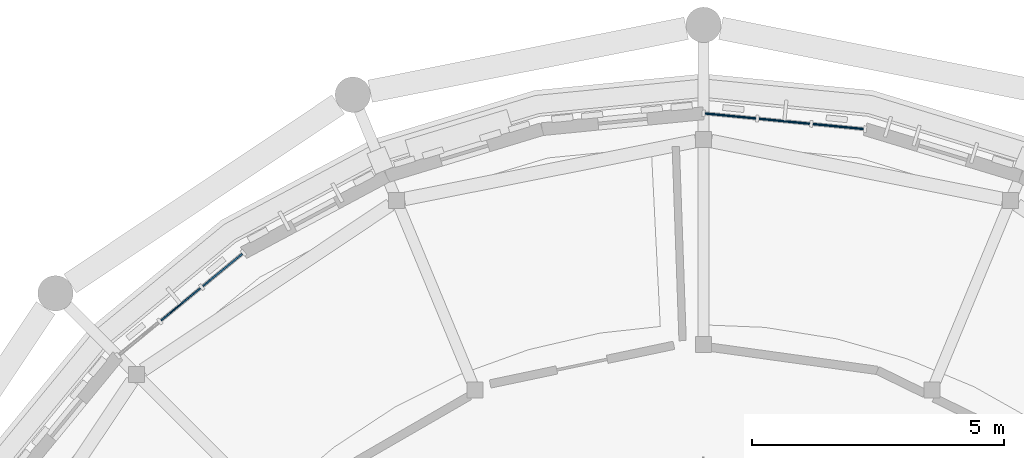
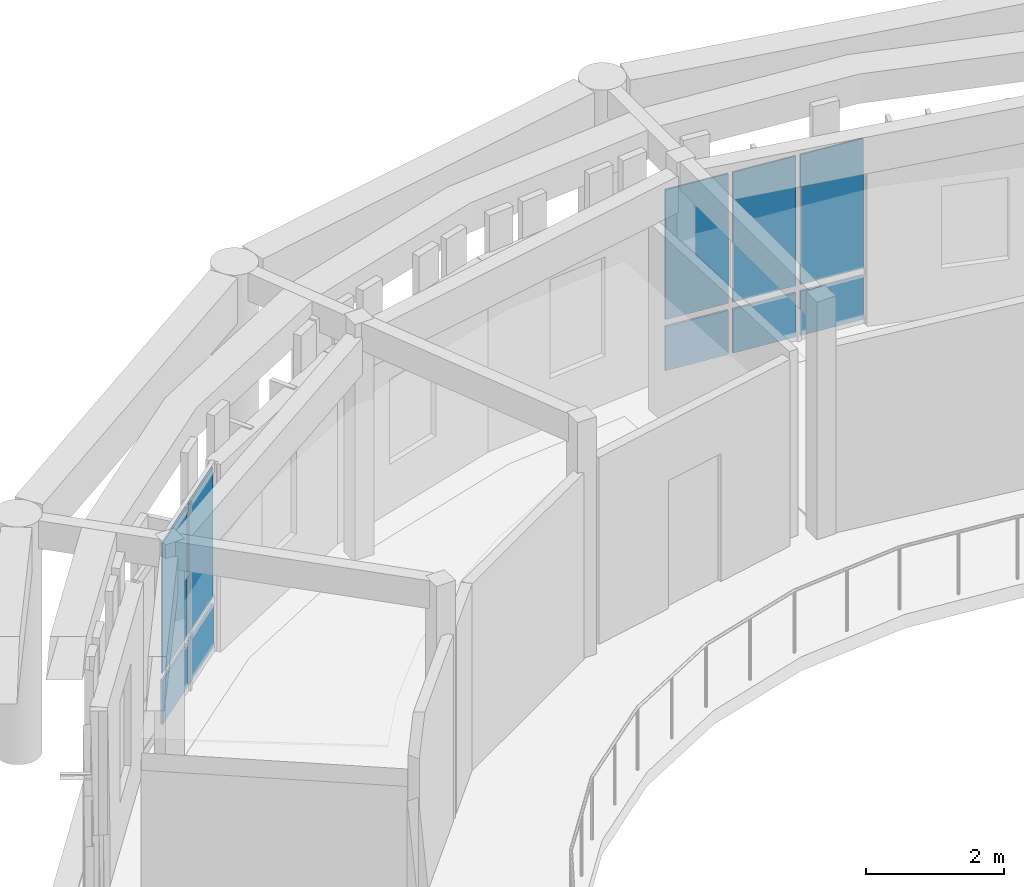
# One storey, part 35 of 80: 10 plates, 2 elements without a shape of their own.
"""IFC4 building model written with IfcOpenShell, lengths in metres."""

from ifc_helpers import new_model, si_unit, direction, frame, origin, origin_2d, place, context, subcontext, project, spatial, rectangle, extrude, material, layer, layer_set, type_object, element, aggregate, save


model = new_model("IFC4")

# Units and contexts
model_context = context("Model", 3, precision=1e-05, world=origin(), true_north=direction((0.0, 1.0)))
body_context = subcontext(model_context, "Body", "Model", "MODEL_VIEW")
ifc_project = project(units=[si_unit("LENGTHUNIT", "METRE"), si_unit("AREAUNIT", "SQUARE_METRE"), si_unit("VOLUMEUNIT", "CUBIC_METRE"), si_unit("PLANEANGLEUNIT", "RADIAN"), si_unit("MASSUNIT", "GRAM", prefix="KILO")], contexts=[model_context])

# Site, building, storey
site_placement = place(None, origin())
site = spatial("IfcSite", under=ifc_project, at=site_placement, CompositionType="ELEMENT")
building_placement = place(site_placement, origin())
building = spatial("IfcBuilding", under=site, at=building_placement, Name="Aldenvaro Health Centre", CompositionType="ELEMENT")
storey_placement = place(building_placement, frame((0.0, 0.0, 4.550048828125)))
storey = spatial("IfcBuildingStorey", under=building, at=storey_placement, Name="L01", CompositionType="ELEMENT", Elevation=4.550048828125)

# Curtain wall, plates
ifc_material_1 = material(Name="Anodised Aluminium 6063-T6", Category="aluminium")
ifc_layer_1 = layer(ifc_material_1, 0.179931640625, Name="Anodised Aluminium 6063-T6", Category="aluminium")
ifc_layer_set_1 = layer_set([ifc_layer_1], Name="Anodised Aluminium 6063-T6")
curtain_wall_type = type_object("IfcCurtainWallType", Name="CW-ROT-01", PredefinedType="NOTDEFINED", material=ifc_layer_set_1)
curtain_wall_1_placement = place(storey_placement, origin())
curtain_wall_1 = element("IfcCurtainWall", 1, at=curtain_wall_1_placement, inside=storey, type_object=curtain_wall_type, Name="D1 L01 curtain wall bay 21", PredefinedType="NOTDEFINED")
ifc_material_2 = material(Name="Low-E Double Glazing IGU", Category="glass")
ifc_layer_2 = layer(ifc_material_2, 0.028076171875, Name="Low-E Double Glazing IGU", Category="glass")
ifc_layer_set_2 = layer_set([ifc_layer_2], Name="Low-E Double Glazing IGU")
plate_type_1 = type_object("IfcPlateType", Name="CWP-IGU-28", PredefinedType="CURTAIN_PANEL", material=ifc_layer_set_2)
plate_1_placement = place(storey_placement, frame((76.64599609375, 32.616943359375, 0.9599609375), z_axis=(0.0, 0.0, 1.0), x_axis=(0.773194586776, 0.634168850528, 0.0)))
plate_1 = element("IfcPlate", 2, at=plate_1_placement, type_object=plate_type_1, Name="D1 L01 curtain wall bay 21 vision glazing 2", PredefinedType="CURTAIN_PANEL", context=body_context, shape_type="SweptSolid", body=[
    extrude(rectangle(XDim=1.001953125, YDim=0.028076171875, at=origin_2d()), origin(), (0.0, 0.0, 1.0), 2.2939453125),
])
plate_2_placement = place(storey_placement, frame((77.47509765625, 33.2958984375, 0.9599609375), z_axis=(0.0, 0.0, 1.0), x_axis=(0.773194586776, 0.634168850528, 0.0)))
plate_2 = element("IfcPlate", 3, at=plate_2_placement, type_object=plate_type_1, Name="D1 L01 curtain wall bay 21 vision glazing 3", PredefinedType="CURTAIN_PANEL", context=body_context, shape_type="SweptSolid", body=[
    extrude(rectangle(XDim=1.001953125, YDim=0.028076171875, at=origin_2d()), origin(), (0.0, 0.0, 1.0), 2.2939453125),
])

curtain_wall_2_placement = place(storey_placement, origin())
curtain_wall_2 = element("IfcCurtainWall", 4, at=curtain_wall_2_placement, inside=storey, type_object=curtain_wall_type, Name="D1 L01 curtain wall bay 25", PredefinedType="NOTDEFINED")
plate_3_placement = place(storey_placement, frame((87.532958984375, 36.346923828125, 0.9599609375), z_axis=(0.0, 0.0, 1.0), x_axis=(0.995186971968, -0.097994340783, 0.0)))
plate_3 = element("IfcPlate", 5, at=plate_3_placement, type_object=plate_type_1, Name="D1 L01 curtain wall bay 25 vision glazing 1", PredefinedType="CURTAIN_PANEL", context=body_context, shape_type="SweptSolid", body=[
    extrude(rectangle(XDim=1.0009765625, YDim=0.028076171875, at=origin_2d()), origin(), (0.0, 0.0, 1.0), 2.2939453125),
])
plate_4_placement = place(storey_placement, frame((88.60009765625, 36.241943359375, 0.9599609375), z_axis=(0.0, 0.0, 1.0), x_axis=(0.995186971968, -0.097994340783, 0.0)))
plate_4 = element("IfcPlate", 6, at=plate_4_placement, type_object=plate_type_1, Name="D1 L01 curtain wall bay 25 vision glazing 2", PredefinedType="CURTAIN_PANEL", context=body_context, shape_type="SweptSolid", body=[
    extrude(rectangle(XDim=1.0009765625, YDim=0.028076171875, at=origin_2d()), origin(), (0.0, 0.0, 1.0), 2.2939453125),
])
plate_5_placement = place(storey_placement, frame((89.666015625, 36.137939453125, 0.9599609375), z_axis=(0.0, 0.0, 1.0), x_axis=(0.995186971968, -0.097994340783, 0.0)))
plate_5 = element("IfcPlate", 7, at=plate_5_placement, type_object=plate_type_1, Name="D1 L01 curtain wall bay 25 vision glazing 3", PredefinedType="CURTAIN_PANEL", context=body_context, shape_type="SweptSolid", body=[
    extrude(rectangle(XDim=1.0009765625, YDim=0.028076171875, at=origin_2d()), origin(), (0.0, 0.0, 1.0), 2.2939453125),
])

# Plate
ifc_material_3 = material(Name="Insulated Aluminium Spandrel", Category="aluminium")
ifc_layer_3 = layer(ifc_material_3, 0.035888671875, Name="Insulated Aluminium Spandrel", Category="aluminium")
ifc_layer_set_3 = layer_set([ifc_layer_3], Name="Insulated Aluminium Spandrel")
plate_type_2 = type_object("IfcPlateType", Name="CWP-SPN-36", PredefinedType="CURTAIN_PANEL", material=ifc_layer_set_3)
plate_6_placement = place(storey_placement, frame((76.64599609375, 32.616943359375, 0.06005859375), z_axis=(0.0, 0.0, 1.0), x_axis=(0.773194586776, 0.634168850528, 0.0)))
plate_6 = element("IfcPlate", 8, at=plate_6_placement, type_object=plate_type_2, Name="D1 L01 curtain wall bay 21 spandrel panel 2", PredefinedType="CURTAIN_PANEL", context=body_context, shape_type="SweptSolid", body=[
    extrude(rectangle(XDim=1.001953125, YDim=0.035888671875, at=origin_2d()), origin(), (0.0, 0.0, 1.0), 0.780029296875),
])

plate_7_placement = place(storey_placement, frame((77.47509765625, 33.2958984375, 0.06005859375), z_axis=(0.0, 0.0, 1.0), x_axis=(0.773194586776, 0.634168850528, 0.0)))
plate_7 = element("IfcPlate", 9, at=plate_7_placement, type_object=plate_type_2, Name="D1 L01 curtain wall bay 21 spandrel panel 3", PredefinedType="CURTAIN_PANEL", context=body_context, shape_type="SweptSolid", body=[
    extrude(rectangle(XDim=1.001953125, YDim=0.035888671875, at=origin_2d()), origin(), (0.0, 0.0, 1.0), 0.780029296875),
])

aggregate(curtain_wall_1, [plate_6, plate_1, plate_7, plate_2])

plate_8_placement = place(storey_placement, frame((87.532958984375, 36.346923828125, 0.06005859375), z_axis=(0.0, 0.0, 1.0), x_axis=(0.995186971968, -0.097994340783, 0.0)))
plate_8 = element("IfcPlate", 10, at=plate_8_placement, type_object=plate_type_2, Name="D1 L01 curtain wall bay 25 spandrel panel 1", PredefinedType="CURTAIN_PANEL", context=body_context, shape_type="SweptSolid", body=[
    extrude(rectangle(XDim=1.0009765625, YDim=0.035888671875, at=origin_2d()), origin(), (0.0, 0.0, 1.0), 0.780029296875),
])

plate_9_placement = place(storey_placement, frame((88.60009765625, 36.241943359375, 0.06005859375), z_axis=(0.0, 0.0, 1.0), x_axis=(0.995186971968, -0.097994340783, 0.0)))
plate_9 = element("IfcPlate", 11, at=plate_9_placement, type_object=plate_type_2, Name="D1 L01 curtain wall bay 25 spandrel panel 2", PredefinedType="CURTAIN_PANEL", context=body_context, shape_type="SweptSolid", body=[
    extrude(rectangle(XDim=1.0009765625, YDim=0.035888671875, at=origin_2d()), origin(), (0.0, 0.0, 1.0), 0.780029296875),
])

plate_10_placement = place(storey_placement, frame((89.666015625, 36.137939453125, 0.06005859375), z_axis=(0.0, 0.0, 1.0), x_axis=(0.995186971968, -0.097994340783, 0.0)))
plate_10 = element("IfcPlate", 12, at=plate_10_placement, type_object=plate_type_2, Name="D1 L01 curtain wall bay 25 spandrel panel 3", PredefinedType="CURTAIN_PANEL", context=body_context, shape_type="SweptSolid", body=[
    extrude(rectangle(XDim=1.0009765625, YDim=0.035888671875, at=origin_2d()), origin(), (0.0, 0.0, 1.0), 0.780029296875),
])

aggregate(curtain_wall_2, [plate_8, plate_3, plate_9, plate_4, plate_10, plate_5])

save(model, "model.ifc")
